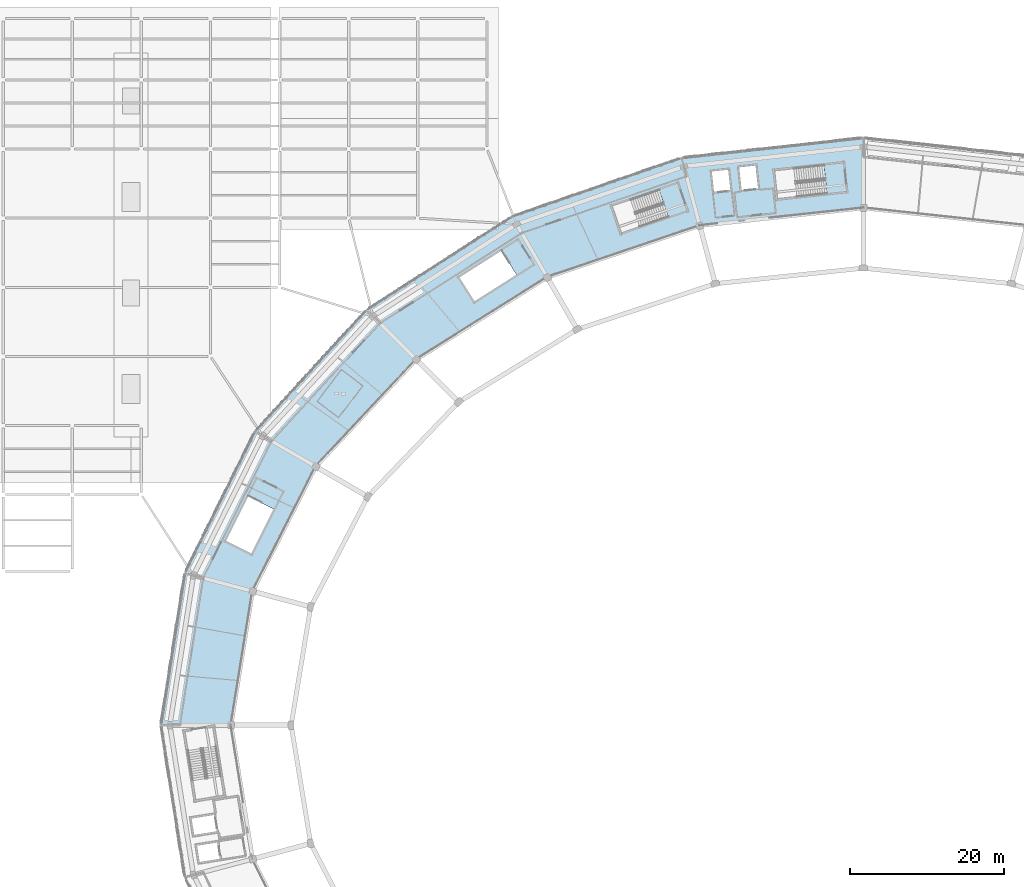
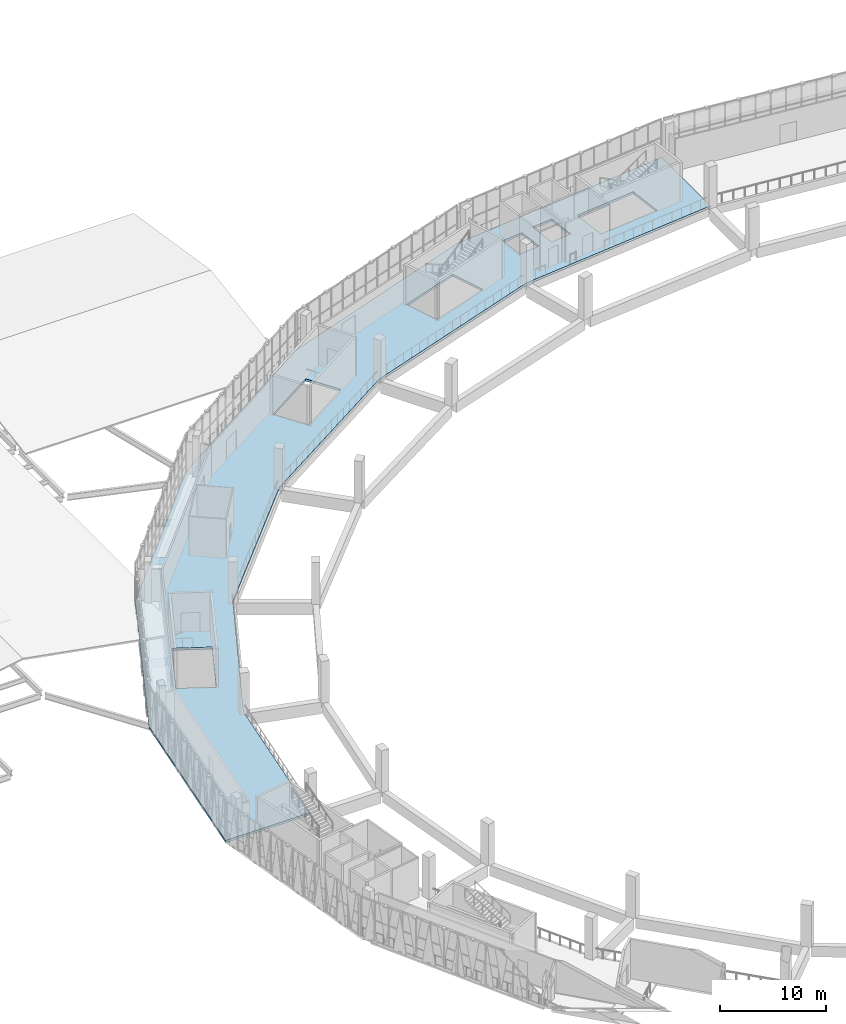
# One storey, part 61 of 108: 1 slab.
"""IFC4 building model written with IfcOpenShell, lengths in metres."""

from ifc_helpers import new_model, si_unit, direction, frame, origin, place, context, subcontext, project, spatial, polyline, outline, extrude, material, layer, layer_set, type_object, element, save


model = new_model("IFC4")

# Units and contexts
model_context = context("Model", 3, precision=1e-05, world=origin(), true_north=direction((0.0, 1.0)))
body_context = subcontext(model_context, "Body", "Model", "MODEL_VIEW")
ifc_project = project(units=[si_unit("LENGTHUNIT", "METRE"), si_unit("AREAUNIT", "SQUARE_METRE"), si_unit("VOLUMEUNIT", "CUBIC_METRE"), si_unit("PLANEANGLEUNIT", "RADIAN"), si_unit("MASSUNIT", "GRAM", prefix="KILO")], contexts=[model_context])

# Site, building, storey
site_placement = place(None, origin())
site = spatial("IfcSite", under=ifc_project, at=site_placement, CompositionType="ELEMENT")
building_placement = place(site_placement, origin())
building = spatial("IfcBuilding", under=site, at=building_placement, Name="Zevraka Park Crest Stadium", CompositionType="ELEMENT")
storey_placement = place(building_placement, frame((0.0, 0.0, 19.800048828125)))
storey = spatial("IfcBuildingStorey", under=building, at=storey_placement, Name="L04", CompositionType="ELEMENT", Elevation=19.800048828125)

# Slab
ifc_material = material(Name="Concrete C35/45", Category="concrete")
ifc_layer = layer(ifc_material, 0.260009765625)
ifc_layer_set = layer_set([ifc_layer], Name="Concrete C35/45")
slab_type = type_object("IfcSlabType", Name="FS03", PredefinedType="FLOOR", material=ifc_layer_set)
slab_placement = place(storey_placement, frame((0.0, 0.0, -0.260009765625)))
element("IfcSlab", 1, at=slab_placement, inside=storey, type_object=slab_type, Name="Bowl Concourse Ring Slab L04 Q2-NW-1", PredefinedType="FLOOR", context=body_context, shape_type="SweptSolid", body=[
    extrude(outline(polyline([(90.698974609375, 157.007080078125), (70.85009765625, 150.283935546875), (53.804931640625, 139.587890625), (40.72607421875, 125.64990234375), (32.50390625, 109.4189453125), (29.699951171875, 92.0), (20.5, 92.0), (23.617919921875, 111.800048828125), (32.759033203125, 130.25), (47.300048828125, 146.093994140625), (66.25, 158.2509765625), (88.318115234375, 165.89306640625), (112.0, 168.5), (112.0, 159.300048828125), (90.698974609375, 157.007080078125)]), holes=[polyline([(35.251953125, 120.10791015625), (31.889892578125, 121.7919921875), (28.968994140625, 115.962890625), (32.3310546875, 114.278076171875), (35.251953125, 120.10791015625)]), polyline([(61.35205078125, 147.118896484375), (66.85693359375, 150.612060546875), (64.843017578125, 153.787109375), (59.3369140625, 150.2939453125), (61.35205078125, 147.118896484375)]), polyline([(80.43798828125, 156.0400390625), (86.60693359375, 158.152099609375), (85.387939453125, 161.708984375), (79.219970703125, 159.596923828125), (80.43798828125, 156.0400390625)]), polyline([(107.2548828125, 161.19189453125), (106.847900390625, 164.929931640625), (100.365966796875, 164.22509765625), (100.77294921875, 160.487060546875), (107.2548828125, 161.19189453125)]), polyline([(92.52099609375, 161.4150390625), (94.7080078125, 161.653076171875), (94.4150390625, 164.3369140625), (92.22802734375, 164.09912109375), (92.52099609375, 161.4150390625)]), polyline([(96.114990234375, 161.656005859375), (98.302001953125, 161.89501953125), (97.97705078125, 164.8779296875), (95.7900390625, 164.638916015625), (96.114990234375, 161.656005859375)])]), origin(), (0.0, 0.0, 1.0), 0.260009765625),
])

save(model, "model.ifc")
